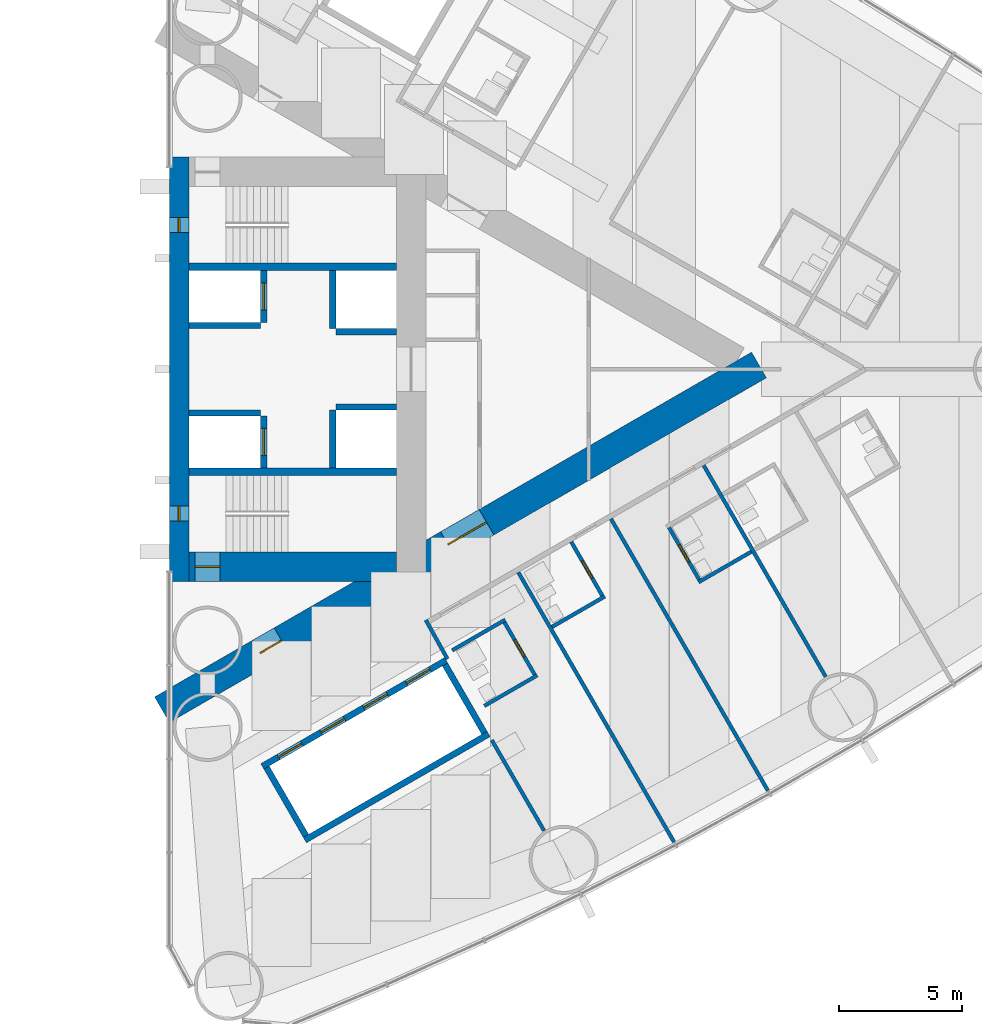
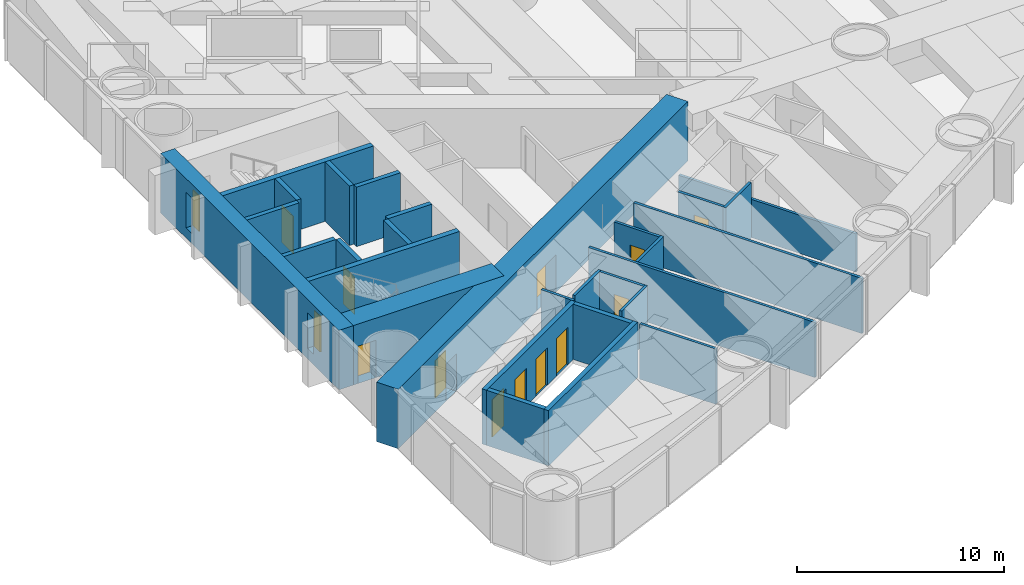
# One storey, part 13 of 18: 29 walls, 12 doors, 2 windows, 14 openings.
"""IFC4 building model written with IfcOpenShell, lengths in metres."""

from ifc_helpers import new_model, si_unit, direction, frame, frame_2d, origin, place, context, subcontext, project, spatial, rectangle, extrude, material, layer, layer_set, type_object, element, fill, save


model = new_model("IFC4")

# Units and contexts
model_context = context("Model", 3, precision=1e-05, world=origin(), true_north=direction((0.0, 1.0)))
body_context = subcontext(model_context, "Body", "Model", "MODEL_VIEW")
ifc_project = project(units=[si_unit("LENGTHUNIT", "METRE"), si_unit("AREAUNIT", "SQUARE_METRE"), si_unit("VOLUMEUNIT", "CUBIC_METRE"), si_unit("PLANEANGLEUNIT", "RADIAN"), si_unit("MASSUNIT", "GRAM", prefix="KILO")], contexts=[model_context])

# Site, building, storey
site_placement = place(None, origin())
site = spatial("IfcSite", under=ifc_project, at=site_placement, CompositionType="ELEMENT")
building_placement = place(site_placement, origin())
building = spatial("IfcBuilding", under=site, at=building_placement, Name="Lancet Gate Hotel", CompositionType="ELEMENT")
storey_placement = place(building_placement, frame((0.0, 0.0, 53.0)))
storey = spatial("IfcBuildingStorey", under=building, at=storey_placement, Name="L13", CompositionType="ELEMENT", Elevation=53.0)

# Wall
ifc_material_1 = material(Name="Moisture resistant board partition")
ifc_layer_1 = layer(ifc_material_1, 0.14990234375)
ifc_layer_set_1 = layer_set([ifc_layer_1], Name="Bathroom wall 150")
wall_type_1 = type_object("IfcWallType", Name="Bathroom wall 150", PredefinedType="PARTITIONING", material=ifc_layer_set_1)
wall_1_placement = place(storey_placement, frame((43.01220703125, -10.4443359375, 0.0), z_axis=(0.0, 0.0, 1.0), x_axis=(0.866031185235, 0.4999899861, 0.0)))
element("IfcWall", 1, at=wall_1_placement, inside=storey, type_object=wall_type_1, Name="T2 bathroom wall 150 L13", PredefinedType="PARTITIONING", context=body_context, shape_type="SweptSolid", body=[
    extrude(rectangle(XDim=2.47509765625, YDim=0.14990234375, at=frame_2d((1.237548828125, 0.0))), origin(), (0.0, 0.0, 1.0), 3.25),
])

# Wall, opening, door
wall_2_placement = place(storey_placement, frame((43.790771484375, -6.99267578125, 0.0), z_axis=(0.0, 0.0, 1.0), x_axis=(0.500047596559, -0.865997922154, 0.0)))
wall_2 = element("IfcWall", 2, at=wall_2_placement, inside=storey, type_object=wall_type_1, Name="T2 bathroom wall 150 L13", PredefinedType="PARTITIONING", context=body_context, shape_type="SweptSolid", body=[
    extrude(rectangle(XDim=2.599853515625, YDim=0.14990234375, at=frame_2d((1.2998046875, 0.0))), origin(), (0.0, 0.0, 1.0), 3.25),
])
opening_1_placement = place(wall_2_placement, frame((0.89990234375, 0.0, 0.0)))
opening_1 = element("IfcOpeningElement", 3, at=opening_1_placement, cuts=wall_2, Name="Opening 1354-B", PredefinedType="OPENING", context=body_context, shape_type="SweptSolid", body=[
    extrude(rectangle(XDim=0.800048828125, YDim=2.199951171875, at=frame_2d((0.39990234375, 1.10009765625))), frame((0.0, 0.0849609375, 0.0), z_axis=(0.0, -1.0, 0.0), x_axis=(1.0, 0.0, 0.0)), (0.0, 0.0, 1.0), 0.169921875),
])
ifc_material_2 = material(Name="Timber door set", Category="wood")
door_type_1 = type_object("IfcDoorType", Name="Bathroom door 800", OperationType="SINGLE_SWING_RIGHT", PredefinedType="DOOR", material=ifc_material_2)
door_1_placement = place(opening_1_placement, origin())
door_1 = element("IfcDoor", 4, at=door_1_placement, inside=storey, type_object=door_type_1, Name="1354-B", OperationType="SINGLE_SWING_RIGHT", OverallHeight=2.199951171875, OverallWidth=0.800048828125, PredefinedType="DOOR", context=body_context, shape_type="SweptSolid", body=[
    extrude(rectangle(XDim=0.800048828125, YDim=2.199951171875, at=frame_2d((0.39990234375, 1.10009765625))), frame((0.0, 0.02490234375, 0.0), z_axis=(0.0, -1.0, 0.0), x_axis=(1.0, 0.0, 0.0)), (0.0, 0.0, 1.0), 0.050048828125),
])
fill(opening_1, door_1)

# Wall
wall_3_placement = place(storey_placement, frame((48.951171875, -8.632080078125, 0.0), z_axis=(0.0, 0.0, 1.0), x_axis=(0.866006523861, 0.500032699561, 0.0)))
element("IfcWall", 5, at=wall_3_placement, inside=storey, type_object=wall_type_1, Name="T2 bathroom wall 150 L13", PredefinedType="PARTITIONING", context=body_context, shape_type="SweptSolid", body=[
    extrude(rectangle(XDim=2.474853515625, YDim=0.14990234375, at=frame_2d((1.2373046875, 0.0))), origin(), (0.0, 0.0, 1.0), 3.25),
])

# Wall, opening, door
wall_4_placement = place(storey_placement, frame((47.716064453125, -6.3427734375, 0.0), z_axis=(0.0, 0.0, 1.0), x_axis=(0.500006934395, -0.866021400173, 0.0)))
wall_4 = element("IfcWall", 6, at=wall_4_placement, inside=storey, type_object=wall_type_1, Name="T2 bathroom wall 150 L13", PredefinedType="PARTITIONING", context=body_context, shape_type="SweptSolid", body=[
    extrude(rectangle(XDim=2.60009765625, YDim=0.14990234375, at=frame_2d((1.300048828125, 0.0))), origin(), (0.0, 0.0, 1.0), 3.25),
])
opening_2_placement = place(wall_4_placement, frame((0.89990234375, 0.0, 0.0)))
opening_2 = element("IfcOpeningElement", 7, at=opening_2_placement, cuts=wall_4, Name="Opening 1355-B", PredefinedType="OPENING", context=body_context, shape_type="SweptSolid", body=[
    extrude(rectangle(XDim=0.800048828125, YDim=2.199951171875, at=frame_2d((0.39990234375, 1.10009765625))), frame((0.0, 0.0849609375, 0.0), z_axis=(0.0, -1.0, 0.0), x_axis=(1.0, 0.0, 0.0)), (0.0, 0.0, 1.0), 0.169921875),
])
door_2_placement = place(opening_2_placement, origin())
door_2 = element("IfcDoor", 8, at=door_2_placement, inside=storey, type_object=door_type_1, Name="1355-B", OperationType="SINGLE_SWING_RIGHT", OverallHeight=2.199951171875, OverallWidth=0.800048828125, PredefinedType="DOOR", context=body_context, shape_type="SweptSolid", body=[
    extrude(rectangle(XDim=0.800048828125, YDim=2.199951171875, at=frame_2d((0.39990234375, 1.10009765625))), frame((0.0, 0.02490234375, 0.0), z_axis=(0.0, -1.0, 0.0), x_axis=(1.0, 0.0, 0.0)), (0.0, 0.0, 1.0), 0.050048828125),
])
fill(opening_2, door_2)

# Wall
wall_5_placement = place(storey_placement, frame((40.269775390625, -13.644287109375, 0.0), z_axis=(0.0, 0.0, 1.0), x_axis=(0.866031185235, 0.4999899861, 0.0)))
element("IfcWall", 9, at=wall_5_placement, inside=storey, type_object=wall_type_1, Name="T2 bathroom wall 150 L13", PredefinedType="PARTITIONING", context=body_context, shape_type="SweptSolid", body=[
    extrude(rectangle(XDim=2.47509765625, YDim=0.14990234375, at=frame_2d((1.237548828125, 0.0))), origin(), (0.0, 0.0, 1.0), 3.25),
])

# Wall, opening, door
wall_6_placement = place(storey_placement, frame((41.04833984375, -10.192626953125, 0.0), z_axis=(0.0, 0.0, 1.0), x_axis=(0.500047596559, -0.865997922154, 0.0)))
wall_6 = element("IfcWall", 10, at=wall_6_placement, inside=storey, type_object=wall_type_1, Name="T2 bathroom wall 150 L13", PredefinedType="PARTITIONING", context=body_context, shape_type="SweptSolid", body=[
    extrude(rectangle(XDim=2.599853515625, YDim=0.14990234375, at=frame_2d((1.2998046875, 0.0))), origin(), (0.0, 0.0, 1.0), 3.25),
])
opening_3_placement = place(wall_6_placement, frame((0.89990234375, 0.0, 0.0)))
opening_3 = element("IfcOpeningElement", 11, at=opening_3_placement, cuts=wall_6, Name="Opening 1353-B", PredefinedType="OPENING", context=body_context, shape_type="SweptSolid", body=[
    extrude(rectangle(XDim=0.800048828125, YDim=2.199951171875, at=frame_2d((0.39990234375, 1.10009765625))), frame((0.0, 0.0849609375, 0.0), z_axis=(0.0, -1.0, 0.0), x_axis=(1.0, 0.0, 0.0)), (0.0, 0.0, 1.0), 0.169921875),
])
door_3_placement = place(opening_3_placement, origin())
door_3 = element("IfcDoor", 12, at=door_3_placement, inside=storey, type_object=door_type_1, Name="1353-B", OperationType="SINGLE_SWING_RIGHT", OverallHeight=2.199951171875, OverallWidth=0.800048828125, PredefinedType="DOOR", context=body_context, shape_type="SweptSolid", body=[
    extrude(rectangle(XDim=0.800048828125, YDim=2.199951171875, at=frame_2d((0.39990234375, 1.10009765625))), frame((0.0, 0.02490234375, 0.0), z_axis=(0.0, -1.0, 0.0), x_axis=(1.0, 0.0, 0.0)), (0.0, 0.0, 1.0), 0.050048828125),
])
fill(opening_3, door_3)

# Wall
wall_7_placement = place(storey_placement, frame((38.9697265625, -11.392578125, 0.0), z_axis=(0.0, 0.0, 1.0), x_axis=(0.866031185235, 0.4999899861, 0.0)))
element("IfcWall", 13, at=wall_7_placement, inside=storey, type_object=wall_type_1, Name="T2 bathroom wall 150 L13", PredefinedType="PARTITIONING", context=body_context, shape_type="SweptSolid", body=[
    extrude(rectangle(XDim=2.47509765625, YDim=0.14990234375, at=frame_2d((1.237548828125, 0.0))), origin(), (0.0, 0.0, 1.0), 3.25),
])

# Wall, openings, doors
ifc_material_3 = material(Name="Concrete C70/85", Category="concrete")
ifc_layer_2 = layer(ifc_material_3, 1.199951171875)
ifc_layer_set_2 = layer_set([ifc_layer_2], Name="Buttress wall 1200")
wall_type_2 = type_object("IfcWallType", Name="Buttress wall 1200", PredefinedType="SHEAR", material=ifc_layer_set_2)
wall_8_placement = place(storey_placement, frame((27.199951171875, -13.800048828125, 0.0), z_axis=(0.0, 0.0, 1.0), x_axis=(0.866027159892, 0.499996958321, 0.0)))
wall_8 = element("IfcWall", 14, at=wall_8_placement, inside=storey, type_object=wall_type_2, Name="T2 buttress wall S L13", PredefinedType="SHEAR", context=body_context, shape_type="SweptSolid", body=[
    extrude(rectangle(XDim=27.946533203125, YDim=1.199951171875, at=frame_2d((13.97314453125, 0.0))), origin(), (0.0, 0.0, 1.0), 3.5),
])
opening_4_placement = place(wall_8_placement, frame((4.60009765625, 0.0, 0.0)))
opening_4 = element("IfcOpeningElement", 15, at=opening_4_placement, cuts=wall_8, Name="Opening T2-L13-LS", PredefinedType="OPENING", context=body_context, shape_type="SweptSolid", body=[
    extrude(rectangle(XDim=1.0, YDim=2.199951171875, at=frame_2d((0.5, 1.10009765625))), frame((0.0, 0.60986328125, 0.0), z_axis=(0.0, -1.0, 0.0), x_axis=(1.0, 0.0, 0.0)), (0.0, 0.0, 1.0), 1.219970703125),
])
opening_5_placement = place(wall_8_placement, frame((13.39453125, 0.0, 0.0)))
opening_5 = element("IfcOpeningElement", 16, at=opening_5_placement, cuts=wall_8, Name="Opening T2-L13-LHS", PredefinedType="OPENING", context=body_context, shape_type="SweptSolid", body=[
    extrude(rectangle(XDim=1.800048828125, YDim=2.199951171875, at=frame_2d((0.89990234375, 1.10009765625))), frame((0.0, 0.60986328125, 0.0), z_axis=(0.0, -1.0, 0.0), x_axis=(1.0, 0.0, 0.0)), (0.0, 0.0, 1.0), 1.219970703125),
])
ifc_material_4 = material(Name="Timber door set", Category="wood")
door_type_2 = type_object("IfcDoorType", Name="Lobby double door 1800", OperationType="DOUBLE_DOOR_SINGLE_SWING", PredefinedType="DOOR", material=ifc_material_4)
door_4_placement = place(opening_5_placement, origin())
door_4 = element("IfcDoor", 17, at=door_4_placement, inside=storey, type_object=door_type_2, Name="T2-L13-LHS", OperationType="DOUBLE_DOOR_SINGLE_SWING", OverallHeight=2.199951171875, OverallWidth=1.800048828125, PredefinedType="DOOR", context=body_context, shape_type="SweptSolid", body=[
    extrude(rectangle(XDim=1.800048828125, YDim=2.199951171875, at=frame_2d((0.89990234375, 1.10009765625))), frame((0.0, 0.02490234375, 0.0), z_axis=(0.0, -1.0, 0.0), x_axis=(1.0, 0.0, 0.0)), (0.0, 0.0, 1.0), 0.050048828125),
])
fill(opening_5, door_4)
ifc_material_5 = material(Name="Timber door set", Category="wood")
door_type_3 = type_object("IfcDoorType", Name="Stair lobby door 1000", OperationType="SINGLE_SWING_LEFT", PredefinedType="DOOR", material=ifc_material_5)
door_5_placement = place(opening_4_placement, origin())
door_5 = element("IfcDoor", 18, at=door_5_placement, inside=storey, type_object=door_type_3, Name="T2-L13-LS", OperationType="SINGLE_SWING_LEFT", OverallHeight=2.199951171875, OverallWidth=1.0, PredefinedType="DOOR", context=body_context, shape_type="SweptSolid", body=[
    extrude(rectangle(XDim=1.0, YDim=2.199951171875, at=frame_2d((0.5, 1.10009765625))), frame((0.0, 0.02490234375, 0.0), z_axis=(0.0, -1.0, 0.0), x_axis=(1.0, 0.0, 0.0)), (0.0, 0.0, 1.0), 0.050048828125),
])
fill(opening_4, door_5)

# Wall, opening, door
ifc_material_6 = material(Name="Concrete C70/85", Category="concrete")
ifc_layer_3 = layer(ifc_material_6, 1.199951171875)
ifc_layer_set_3 = layer_set([ifc_layer_3], Name="Core wall 1200")
wall_type_3 = type_object("IfcWallType", Name="Core wall 1200", PredefinedType="SHEAR", material=ifc_layer_set_3)
wall_9_placement = place(storey_placement, frame((28.300048828125, -8.0, 0.0), z_axis=(0.0, 0.0, 1.0), x_axis=(1.0, 0.0, 0.0)))
wall_9 = element("IfcWall", 19, at=wall_9_placement, inside=storey, type_object=wall_type_3, Name="T2 core wall side-S L13", PredefinedType="SHEAR", context=body_context, shape_type="SweptSolid", body=[
    extrude(rectangle(XDim=8.39990234375, YDim=1.199951171875, at=frame_2d((4.199951171875, 0.0))), origin(), (0.0, 0.0, 1.0), 3.5),
])
opening_6_placement = place(wall_9_placement, frame((0.25, 0.0, 0.0)))
opening_6 = element("IfcOpeningElement", 20, at=opening_6_placement, cuts=wall_9, Name="Opening T2-L13-ST1", PredefinedType="OPENING", context=body_context, shape_type="SweptSolid", body=[
    extrude(rectangle(XDim=1.0, YDim=2.199951171875, at=frame_2d((0.5, 1.10009765625))), frame((0.0, 0.60986328125, 0.0), z_axis=(0.0, -1.0, 0.0), x_axis=(1.0, 0.0, 0.0)), (0.0, 0.0, 1.0), 1.219970703125),
])
ifc_material_7 = material(Name="Timber door set", Category="wood")
door_type_4 = type_object("IfcDoorType", Name="Stair door 1000", OperationType="SINGLE_SWING_RIGHT", PredefinedType="DOOR", material=ifc_material_7)
door_6_placement = place(opening_6_placement, origin())
door_6 = element("IfcDoor", 21, at=door_6_placement, inside=storey, type_object=door_type_4, Name="T2-L13-ST1", OperationType="SINGLE_SWING_RIGHT", OverallHeight=2.199951171875, OverallWidth=1.0, PredefinedType="DOOR", context=body_context, shape_type="SweptSolid", body=[
    extrude(rectangle(XDim=1.0, YDim=2.199951171875, at=frame_2d((0.5, 1.10009765625))), frame((0.0, 0.02490234375, 0.0), z_axis=(0.0, -1.0, 0.0), x_axis=(1.0, 0.0, 0.0)), (0.0, 0.0, 1.0), 0.050048828125),
])
fill(opening_6, door_6)

# Wall, openings, windows
ifc_material_8 = material(Name="Concrete C70/85", Category="concrete")
ifc_layer_4 = layer(ifc_material_8, 0.800048828125)
ifc_layer_set_4 = layer_set([ifc_layer_4], Name="Core wall 800")
wall_type_4 = type_object("IfcWallType", Name="Core wall 800", PredefinedType="SHEAR", material=ifc_layer_set_4)
wall_10_placement = place(storey_placement, frame((27.89990234375, -8.60009765625, 0.0), z_axis=(0.0, 0.0, 1.0), x_axis=(0.0, 1.0, 0.0)))
wall_10 = element("IfcWall", 22, at=wall_10_placement, inside=storey, type_object=wall_type_4, Name="T2 core wall front L13", PredefinedType="SHEAR", context=body_context, shape_type="SweptSolid", body=[
    extrude(rectangle(XDim=17.2001953125, YDim=0.800048828125, at=frame_2d((8.60009765625, 0.0))), origin(), (0.0, 0.0, 1.0), 3.5),
])
opening_7_placement = place(wall_10_placement, frame((2.449951171875, 0.0, 0.60009765625)))
opening_7 = element("IfcOpeningElement", 23, at=opening_7_placement, cuts=wall_10, Name="Opening LW1", PredefinedType="OPENING", context=body_context, shape_type="SweptSolid", body=[
    extrude(rectangle(XDim=0.60009765625, YDim=2.10009765625, at=frame_2d((0.300048828125, 1.050048828125))), frame((0.0, 0.409912109375, 0.0), z_axis=(0.0, -1.0, 0.0), x_axis=(1.0, 0.0, 0.0)), (0.0, 0.0, 1.0), 0.820068359375),
])
opening_8_placement = place(wall_10_placement, frame((14.14990234375, 0.0, 0.60009765625)))
opening_8 = element("IfcOpeningElement", 24, at=opening_8_placement, cuts=wall_10, Name="Opening LW1", PredefinedType="OPENING", context=body_context, shape_type="SweptSolid", body=[
    extrude(rectangle(XDim=0.60009765625, YDim=2.10009765625, at=frame_2d((0.300048828125, 1.050048828125))), frame((0.0, 0.409912109375, 0.0), z_axis=(0.0, -1.0, 0.0), x_axis=(1.0, 0.0, 0.0)), (0.0, 0.0, 1.0), 0.820068359375),
])
ifc_material_9 = material(Name="Fire-resisting glazed steel window", Category="steel")
window_type = type_object("IfcWindowType", Name="Lancet window 600x2100", PartitioningType="SINGLE_PANEL", PredefinedType="WINDOW", material=ifc_material_9)
window_1_placement = place(opening_7_placement, origin())
window_1 = element("IfcWindow", 25, at=window_1_placement, inside=storey, type_object=window_type, Name="T2 stair window S L13", OverallHeight=2.10009765625, OverallWidth=0.60009765625, PartitioningType="SINGLE_PANEL", PredefinedType="WINDOW", context=body_context, shape_type="SweptSolid", body=[
    extrude(rectangle(XDim=0.60009765625, YDim=2.10009765625, at=frame_2d((0.300048828125, 1.050048828125))), frame((0.0, 0.030029296875, 0.0), z_axis=(0.0, -1.0, 0.0), x_axis=(1.0, 0.0, 0.0)), (0.0, 0.0, 1.0), 0.06005859375),
])
fill(opening_7, window_1)
window_2_placement = place(opening_8_placement, origin())
window_2 = element("IfcWindow", 26, at=window_2_placement, inside=storey, type_object=window_type, Name="T2 stair window N L13", OverallHeight=2.10009765625, OverallWidth=0.60009765625, PartitioningType="SINGLE_PANEL", PredefinedType="WINDOW", context=body_context, shape_type="SweptSolid", body=[
    extrude(rectangle(XDim=0.60009765625, YDim=2.10009765625, at=frame_2d((0.300048828125, 1.050048828125))), frame((0.0, 0.030029296875, 0.0), z_axis=(0.0, -1.0, 0.0), x_axis=(1.0, 0.0, 0.0)), (0.0, 0.0, 1.0), 0.06005859375),
])
fill(opening_8, window_2)

# Wall, openings, doors
ifc_material_10 = material(Name="Gypsum board partition")
ifc_layer_5 = layer(ifc_material_10, 0.25)
ifc_layer_set_5 = layer_set([ifc_layer_5], Name="Lift shaft partition 250")
wall_type_5 = type_object("IfcWallType", Name="Lift shaft partition 250", PredefinedType="PARTITIONING", material=ifc_layer_set_5)
wall_11_placement = place(storey_placement, frame((31.2705078125, -16.09716796875, 0.0), z_axis=(0.0, 0.0, 1.0), x_axis=(0.86604045752, 0.499973925258, 0.0)))
wall_11 = element("IfcWall", 27, at=wall_11_placement, inside=storey, type_object=wall_type_5, Name="T2 lift shaft wall LR L13", PredefinedType="PARTITIONING", context=body_context, shape_type="SweptSolid", body=[
    extrude(rectangle(XDim=8.60009765625, YDim=0.25, at=frame_2d((4.300048828125, 0.0))), origin(), (0.0, 0.0, 1.0), 3.25),
])
opening_9_placement = place(wall_11_placement, frame((0.75, 0.0, 0.0)))
opening_9 = element("IfcOpeningElement", 28, at=opening_9_placement, cuts=wall_11, Name="Opening T2-LR1-L13", PredefinedType="OPENING", context=body_context, shape_type="SweptSolid", body=[
    extrude(rectangle(XDim=1.10009765625, YDim=2.199951171875, at=frame_2d((0.550048828125, 1.10009765625))), frame((0.0, 0.135009765625, 0.0), z_axis=(0.0, -1.0, 0.0), x_axis=(1.0, 0.0, 0.0)), (0.0, 0.0, 1.0), 0.27001953125),
])
opening_10_placement = place(wall_11_placement, frame((2.75, 0.0, 0.0)))
opening_10 = element("IfcOpeningElement", 29, at=opening_10_placement, cuts=wall_11, Name="Opening T2-LR2-L13", PredefinedType="OPENING", context=body_context, shape_type="SweptSolid", body=[
    extrude(rectangle(XDim=1.10009765625, YDim=2.199951171875, at=frame_2d((0.550048828125, 1.10009765625))), frame((0.0, 0.135009765625, 0.0), z_axis=(0.0, -1.0, 0.0), x_axis=(1.0, 0.0, 0.0)), (0.0, 0.0, 1.0), 0.27001953125),
])
opening_11_placement = place(wall_11_placement, frame((4.75, 0.0, 0.0)))
opening_11 = element("IfcOpeningElement", 30, at=opening_11_placement, cuts=wall_11, Name="Opening T2-LR3-L13", PredefinedType="OPENING", context=body_context, shape_type="SweptSolid", body=[
    extrude(rectangle(XDim=1.10009765625, YDim=2.199951171875, at=frame_2d((0.550048828125, 1.10009765625))), frame((0.0, 0.135009765625, 0.0), z_axis=(0.0, -1.0, 0.0), x_axis=(1.0, 0.0, 0.0)), (0.0, 0.0, 1.0), 0.27001953125),
])
opening_12_placement = place(wall_11_placement, frame((6.75, 0.0, 0.0)))
opening_12 = element("IfcOpeningElement", 31, at=opening_12_placement, cuts=wall_11, Name="Opening T2-LR4-L13", PredefinedType="OPENING", context=body_context, shape_type="SweptSolid", body=[
    extrude(rectangle(XDim=1.10009765625, YDim=2.199951171875, at=frame_2d((0.550048828125, 1.10009765625))), frame((0.0, 0.135009765625, 0.0), z_axis=(0.0, -1.0, 0.0), x_axis=(1.0, 0.0, 0.0)), (0.0, 0.0, 1.0), 0.27001953125),
])
ifc_material_11 = material(Name="Steel door set", Category="steel")
door_type_5 = type_object("IfcDoorType", Name="Lift landing door 1100", OperationType="DOUBLE_DOOR_SLIDING", PredefinedType="USERDEFINED", material=ifc_material_11)
door_7_placement = place(opening_9_placement, origin())
door_7 = element("IfcDoor", 32, at=door_7_placement, inside=storey, type_object=door_type_5, Name="T2-LR1-L13", ObjectType="LIFT LANDING DOOR", OperationType="DOUBLE_DOOR_SLIDING", OverallHeight=2.199951171875, OverallWidth=1.10009765625, PredefinedType="USERDEFINED", context=body_context, shape_type="SweptSolid", body=[
    extrude(rectangle(XDim=1.10009765625, YDim=2.199951171875, at=frame_2d((0.550048828125, 1.10009765625))), frame((0.0, 0.02490234375, 0.0), z_axis=(0.0, -1.0, 0.0), x_axis=(1.0, 0.0, 0.0)), (0.0, 0.0, 1.0), 0.050048828125),
])
fill(opening_9, door_7)
door_8_placement = place(opening_10_placement, origin())
door_8 = element("IfcDoor", 33, at=door_8_placement, inside=storey, type_object=door_type_5, Name="T2-LR2-L13", ObjectType="LIFT LANDING DOOR", OperationType="DOUBLE_DOOR_SLIDING", OverallHeight=2.199951171875, OverallWidth=1.10009765625, PredefinedType="USERDEFINED", context=body_context, shape_type="SweptSolid", body=[
    extrude(rectangle(XDim=1.10009765625, YDim=2.199951171875, at=frame_2d((0.550048828125, 1.10009765625))), frame((0.0, 0.02490234375, 0.0), z_axis=(0.0, -1.0, 0.0), x_axis=(1.0, 0.0, 0.0)), (0.0, 0.0, 1.0), 0.050048828125),
])
fill(opening_10, door_8)
door_9_placement = place(opening_11_placement, origin())
door_9 = element("IfcDoor", 34, at=door_9_placement, inside=storey, type_object=door_type_5, Name="T2-LR3-L13", ObjectType="LIFT LANDING DOOR", OperationType="DOUBLE_DOOR_SLIDING", OverallHeight=2.199951171875, OverallWidth=1.10009765625, PredefinedType="USERDEFINED", context=body_context, shape_type="SweptSolid", body=[
    extrude(rectangle(XDim=1.10009765625, YDim=2.199951171875, at=frame_2d((0.550048828125, 1.10009765625))), frame((0.0, 0.02490234375, 0.0), z_axis=(0.0, -1.0, 0.0), x_axis=(1.0, 0.0, 0.0)), (0.0, 0.0, 1.0), 0.050048828125),
])
fill(opening_11, door_9)
door_10_placement = place(opening_12_placement, origin())
door_10 = element("IfcDoor", 35, at=door_10_placement, inside=storey, type_object=door_type_5, Name="T2-LR4-L13", ObjectType="LIFT LANDING DOOR", OperationType="DOUBLE_DOOR_SLIDING", OverallHeight=2.199951171875, OverallWidth=1.10009765625, PredefinedType="USERDEFINED", context=body_context, shape_type="SweptSolid", body=[
    extrude(rectangle(XDim=1.10009765625, YDim=2.199951171875, at=frame_2d((0.550048828125, 1.10009765625))), frame((0.0, 0.02490234375, 0.0), z_axis=(0.0, -1.0, 0.0), x_axis=(1.0, 0.0, 0.0)), (0.0, 0.0, 1.0), 0.050048828125),
])
fill(opening_12, door_10)

# Walls
wall_12_placement = place(storey_placement, frame((32.99560546875, -19.085693359375, 0.0), z_axis=(0.0, 0.0, 1.0), x_axis=(0.866028165386, 0.499995216735, 0.0)))
element("IfcWall", 36, at=wall_12_placement, inside=storey, type_object=wall_type_5, Name="T2 lift shaft wall LR L13", PredefinedType="PARTITIONING", context=body_context, shape_type="SweptSolid", body=[
    extrude(rectangle(XDim=8.60009765625, YDim=0.25, at=frame_2d((4.300048828125, 0.0))), origin(), (0.0, 0.0, 1.0), 3.25),
])
for number, where, z_axis, x_axis, name in (
    (37, (31.441162109375, -16.14306640625, 0.0), (0.0, 0.0, 1.0), (0.499929347863, -0.866066190972, 0.0), "T2 lift shaft wall LR L13"),
    (38, (38.672607421875, -11.968017578125, 0.0), (0.0, 0.0, 1.0), (0.499929347863, -0.866066190972, 0.0), "T2 lift shaft wall LR L13"),
):
    element("IfcWall", number, at=place(storey_placement, frame(where, z_axis=z_axis, x_axis=x_axis)), inside=storey, type_object=wall_type_5, Name=name, PredefinedType="PARTITIONING", context=body_context, shape_type="SweptSolid", body=[
        extrude(rectangle(XDim=3.20068359375, YDim=0.25, at=frame_2d((1.600341796875, 0.0))), origin(), (0.0, 0.0, 1.0), 3.25),
    ])

# Wall, opening, door
ifc_material_12 = material(Name="Concrete C50/60", Category="concrete")
ifc_layer_6 = layer(ifc_material_12, 0.25)
ifc_layer_set_6 = layer_set([ifc_layer_6], Name="Lift shaft wall 250")
wall_type_6 = type_object("IfcWallType", Name="Lift shaft wall 250", PredefinedType="SHEAR", material=ifc_layer_set_6)
wall_13_placement = place(storey_placement, frame((31.324951171875, -4.0, 0.0), z_axis=(0.0, 0.0, 1.0), x_axis=(0.0, 1.0, 0.0)))
wall_13 = element("IfcWall", 39, at=wall_13_placement, inside=storey, type_object=wall_type_6, Name="T2 core wall row1-S L13", PredefinedType="SHEAR", context=body_context, shape_type="SweptSolid", body=[
    extrude(rectangle(XDim=2.10009765625, YDim=0.25, at=frame_2d((1.050048828125, 0.0))), origin(), (0.0, 0.0, 1.0), 3.5),
])
opening_13_placement = place(wall_13_placement, frame((0.5, 0.0, 0.0)))
opening_13 = element("IfcOpeningElement", 40, at=opening_13_placement, cuts=wall_13, Name="Opening T2-SL1-L13", PredefinedType="OPENING", context=body_context, shape_type="SweptSolid", body=[
    extrude(rectangle(XDim=1.10009765625, YDim=2.199951171875, at=frame_2d((0.550048828125, 1.10009765625))), frame((0.0, 0.135009765625, 0.0), z_axis=(0.0, -1.0, 0.0), x_axis=(1.0, 0.0, 0.0)), (0.0, 0.0, 1.0), 0.27001953125),
])
ifc_material_13 = material(Name="Timber door set", Category="wood")
door_type_6 = type_object("IfcDoorType", Name="Service lift landing door 1100", OperationType="SLIDING_TO_LEFT", PredefinedType="USERDEFINED", material=ifc_material_13)
door_11_placement = place(opening_13_placement, origin())
door_11 = element("IfcDoor", 41, at=door_11_placement, inside=storey, type_object=door_type_6, Name="T2-SL1-L13", ObjectType="LIFT LANDING DOOR", OperationType="SLIDING_TO_LEFT", OverallHeight=2.199951171875, OverallWidth=1.10009765625, PredefinedType="USERDEFINED", context=body_context, shape_type="SweptSolid", body=[
    extrude(rectangle(XDim=1.10009765625, YDim=2.199951171875, at=frame_2d((0.550048828125, 1.10009765625))), frame((0.0, 0.02490234375, 0.0), z_axis=(0.0, -1.0, 0.0), x_axis=(1.0, 0.0, 0.0)), (0.0, 0.0, 1.0), 0.050048828125),
])
fill(opening_13, door_11)

# Walls
wall_14_placement = place(storey_placement, frame((34.125, -4.0, 0.0), z_axis=(0.0, 0.0, 1.0), x_axis=(0.0, 1.0, 0.0)))
element("IfcWall", 42, at=wall_14_placement, inside=storey, type_object=wall_type_6, Name="T2 core wall row2-S L13", PredefinedType="SHEAR", context=body_context, shape_type="SweptSolid", body=[
    extrude(rectangle(XDim=2.35009765625, YDim=0.25, at=frame_2d((1.175048828125, 0.0))), origin(), (0.0, 0.0, 1.0), 3.5),
])
wall_15_placement = place(storey_placement, frame((28.300048828125, -1.77490234375, 0.0), z_axis=(0.0, 0.0, 1.0), x_axis=(1.0, 0.0, 0.0)))
element("IfcWall", 43, at=wall_15_placement, inside=storey, type_object=wall_type_6, Name="T2 core wall pass1-S L13", PredefinedType="SHEAR", context=body_context, shape_type="SweptSolid", body=[
    extrude(rectangle(XDim=2.89990234375, YDim=0.25, at=frame_2d((1.449951171875, 0.0))), origin(), (0.0, 0.0, 1.0), 3.5),
])
wall_16_placement = place(storey_placement, frame((34.25, -1.52490234375, 0.0), z_axis=(0.0, 0.0, 1.0), x_axis=(1.0, 0.0, 0.0)))
element("IfcWall", 44, at=wall_16_placement, inside=storey, type_object=wall_type_6, Name="T2 core wall pass2-S L13", PredefinedType="SHEAR", context=body_context, shape_type="SweptSolid", body=[
    extrude(rectangle(XDim=2.449951171875, YDim=0.25, at=frame_2d((1.22509765625, 0.0))), origin(), (0.0, 0.0, 1.0), 3.5),
])

# Wall, opening, door
wall_17_placement = place(storey_placement, frame((31.324951171875, 1.89990234375, 0.0), z_axis=(0.0, 0.0, 1.0), x_axis=(0.0, 1.0, 0.0)))
wall_17 = element("IfcWall", 45, at=wall_17_placement, inside=storey, type_object=wall_type_6, Name="T2 core wall row1-N L13", PredefinedType="SHEAR", context=body_context, shape_type="SweptSolid", body=[
    extrude(rectangle(XDim=2.10009765625, YDim=0.25, at=frame_2d((1.050048828125, 0.0))), origin(), (0.0, 0.0, 1.0), 3.5),
])
opening_14_placement = place(wall_17_placement, frame((0.5, 0.0, 0.0)))
opening_14 = element("IfcOpeningElement", 46, at=opening_14_placement, cuts=wall_17, Name="Opening T2-FL2-L13", PredefinedType="OPENING", context=body_context, shape_type="SweptSolid", body=[
    extrude(rectangle(XDim=1.10009765625, YDim=2.199951171875, at=frame_2d((0.550048828125, 1.10009765625))), frame((0.0, 0.135009765625, 0.0), z_axis=(0.0, -1.0, 0.0), x_axis=(1.0, 0.0, 0.0)), (0.0, 0.0, 1.0), 0.27001953125),
])
ifc_material_14 = material(Name="Steel door set", Category="steel")
door_type_7 = type_object("IfcDoorType", Name="Firefighting lift landing door 1100", OperationType="SLIDING_TO_LEFT", PredefinedType="USERDEFINED", material=ifc_material_14)
door_12_placement = place(opening_14_placement, origin())
door_12 = element("IfcDoor", 47, at=door_12_placement, inside=storey, type_object=door_type_7, Name="T2-FL2-L13", ObjectType="LIFT LANDING DOOR", OperationType="SLIDING_TO_LEFT", OverallHeight=2.199951171875, OverallWidth=1.10009765625, PredefinedType="USERDEFINED", context=body_context, shape_type="SweptSolid", body=[
    extrude(rectangle(XDim=1.10009765625, YDim=2.199951171875, at=frame_2d((0.550048828125, 1.10009765625))), frame((0.0, 0.02490234375, 0.0), z_axis=(0.0, -1.0, 0.0), x_axis=(1.0, 0.0, 0.0)), (0.0, 0.0, 1.0), 0.050048828125),
])
fill(opening_14, door_12)

# Walls
wall_18_placement = place(storey_placement, frame((34.125, 1.64990234375, 0.0), z_axis=(0.0, 0.0, 1.0), x_axis=(0.0, 1.0, 0.0)))
element("IfcWall", 48, at=wall_18_placement, inside=storey, type_object=wall_type_6, Name="T2 core wall row2-N L13", PredefinedType="SHEAR", context=body_context, shape_type="SweptSolid", body=[
    extrude(rectangle(XDim=2.35009765625, YDim=0.25, at=frame_2d((1.175048828125, 0.0))), origin(), (0.0, 0.0, 1.0), 3.5),
])
wall_19_placement = place(storey_placement, frame((28.300048828125, 1.77490234375, 0.0), z_axis=(0.0, 0.0, 1.0), x_axis=(1.0, 0.0, 0.0)))
element("IfcWall", 49, at=wall_19_placement, inside=storey, type_object=wall_type_6, Name="T2 core wall pass1-N L13", PredefinedType="SHEAR", context=body_context, shape_type="SweptSolid", body=[
    extrude(rectangle(XDim=2.89990234375, YDim=0.25, at=frame_2d((1.449951171875, 0.0))), origin(), (0.0, 0.0, 1.0), 3.5),
])
wall_20_placement = place(storey_placement, frame((34.25, 1.52490234375, 0.0), z_axis=(0.0, 0.0, 1.0), x_axis=(1.0, 0.0, 0.0)))
element("IfcWall", 50, at=wall_20_placement, inside=storey, type_object=wall_type_6, Name="T2 core wall pass2-N L13", PredefinedType="SHEAR", context=body_context, shape_type="SweptSolid", body=[
    extrude(rectangle(XDim=2.449951171875, YDim=0.25, at=frame_2d((1.22509765625, 0.0))), origin(), (0.0, 0.0, 1.0), 3.5),
])
ifc_material_15 = material(Name="Gypsum board partition")
ifc_layer_7 = layer(ifc_material_15, 0.14990234375)
ifc_layer_set_7 = layer_set([ifc_layer_7], Name="Party wall 150")
wall_type_7 = type_object("IfcWallType", Name="Party wall 150", PredefinedType="PARTITIONING", material=ifc_layer_set_7)
wall_21_placement = place(storey_placement, frame((41.6474609375, -8.22998046875, 0.0), z_axis=(0.0, 0.0, 1.0), x_axis=(0.49998590462, -0.866033541603, 0.0)))
element("IfcWall", 51, at=wall_21_placement, inside=storey, type_object=wall_type_7, Name="T2 party wall 150 L13", PredefinedType="PARTITIONING", context=body_context, shape_type="SweptSolid", body=[
    extrude(rectangle(XDim=12.620849609375, YDim=0.14990234375, at=frame_2d((6.310546875, 0.0))), origin(), (0.0, 0.0, 1.0), 3.25),
])
wall_22_placement = place(storey_placement, frame((45.40283203125, -6.061767578125, 0.0), z_axis=(0.0, 0.0, 1.0), x_axis=(0.500007077968, -0.866021317279, 0.0)))
element("IfcWall", 52, at=wall_22_placement, inside=storey, type_object=wall_type_7, Name="T2 party wall 150 L13", PredefinedType="PARTITIONING", context=body_context, shape_type="SweptSolid", body=[
    extrude(rectangle(XDim=12.721435546875, YDim=0.14990234375, at=frame_2d((6.36083984375, 0.0))), origin(), (0.0, 0.0, 1.0), 3.25),
])
wall_23_placement = place(storey_placement, frame((49.159423828125, -3.892822265625, 0.0), z_axis=(0.0, 0.0, 1.0), x_axis=(0.499998773722, -0.866026111775, 0.0)))
element("IfcWall", 53, at=wall_23_placement, inside=storey, type_object=wall_type_7, Name="T2 party wall 150 L13", PredefinedType="PARTITIONING", context=body_context, shape_type="SweptSolid", body=[
    extrude(rectangle(XDim=9.8916015625, YDim=0.14990234375, at=frame_2d((4.94580078125, 0.0))), origin(), (0.0, 0.0, 1.0), 2.25),
])
wall_24_placement = place(storey_placement, frame((40.5703125, -15.030029296875, 0.0), z_axis=(0.0, 0.0, 1.0), x_axis=(0.500012993597, -0.866017901798, 0.0)))
element("IfcWall", 54, at=wall_24_placement, inside=storey, type_object=wall_type_7, Name="T2 party wall 150 L13", PredefinedType="PARTITIONING", context=body_context, shape_type="SweptSolid", body=[
    extrude(rectangle(XDim=4.2431640625, YDim=0.14990234375, at=frame_2d((2.12158203125, 0.0))), origin(), (0.0, 0.0, 1.0), 3.25),
])
ifc_material_16 = material(Name="Gypsum board partition")
ifc_layer_8 = layer(ifc_material_16, 0.14990234375)
ifc_layer_set_8 = layer_set([ifc_layer_8], Name="Service room wall 150")
wall_type_8 = type_object("IfcWallType", Name="Service room wall 150", PredefinedType="PARTITIONING", material=ifc_layer_set_8)
wall_25_placement = place(storey_placement, frame((38.7734375, -11.742431640625, 0.0), z_axis=(0.0, 0.0, 1.0), x_axis=(-0.485528096672, 0.8742210632, 0.0)))
element("IfcWall", 55, at=wall_25_placement, inside=storey, type_object=wall_type_8, Name="T2 service room wall 150 L13", PredefinedType="PARTITIONING", context=body_context, shape_type="SweptSolid", body=[
    extrude(rectangle(XDim=1.80517578125, YDim=0.14990234375, at=frame_2d((0.902587890625, 0.0))), origin(), (0.0, 0.0, 1.0), 3.25),
])
ifc_material_17 = material(Name="Concrete C50/60", Category="concrete")
ifc_layer_9 = layer(ifc_material_17, 0.300048828125)
ifc_layer_set_9 = layer_set([ifc_layer_9], Name="Stair enclosure wall 300")
wall_type_9 = type_object("IfcWallType", Name="Stair enclosure wall 300", PredefinedType="SHEAR", material=ifc_layer_set_9)
for number, where, z_axis, x_axis, name in (
    (56, (28.300048828125, -4.14990234375, 0.0), (0.0, 0.0, 1.0), (1.0, 0.0, 0.0), "T2 core wall stair-S L13"),
    (57, (28.300048828125, 4.14990234375, 0.0), (0.0, 0.0, 1.0), (1.0, 0.0, 0.0), "T2 core wall stair-N L13"),
):
    element("IfcWall", number, at=place(storey_placement, frame(where, z_axis=z_axis, x_axis=x_axis)), inside=storey, type_object=wall_type_9, Name=name, PredefinedType="SHEAR", context=body_context, shape_type="SweptSolid", body=[
        extrude(rectangle(XDim=8.39990234375, YDim=0.300048828125, at=frame_2d((4.199951171875, 0.0))), origin(), (0.0, 0.0, 1.0), 3.5),
    ])

save(model, "model.ifc")
